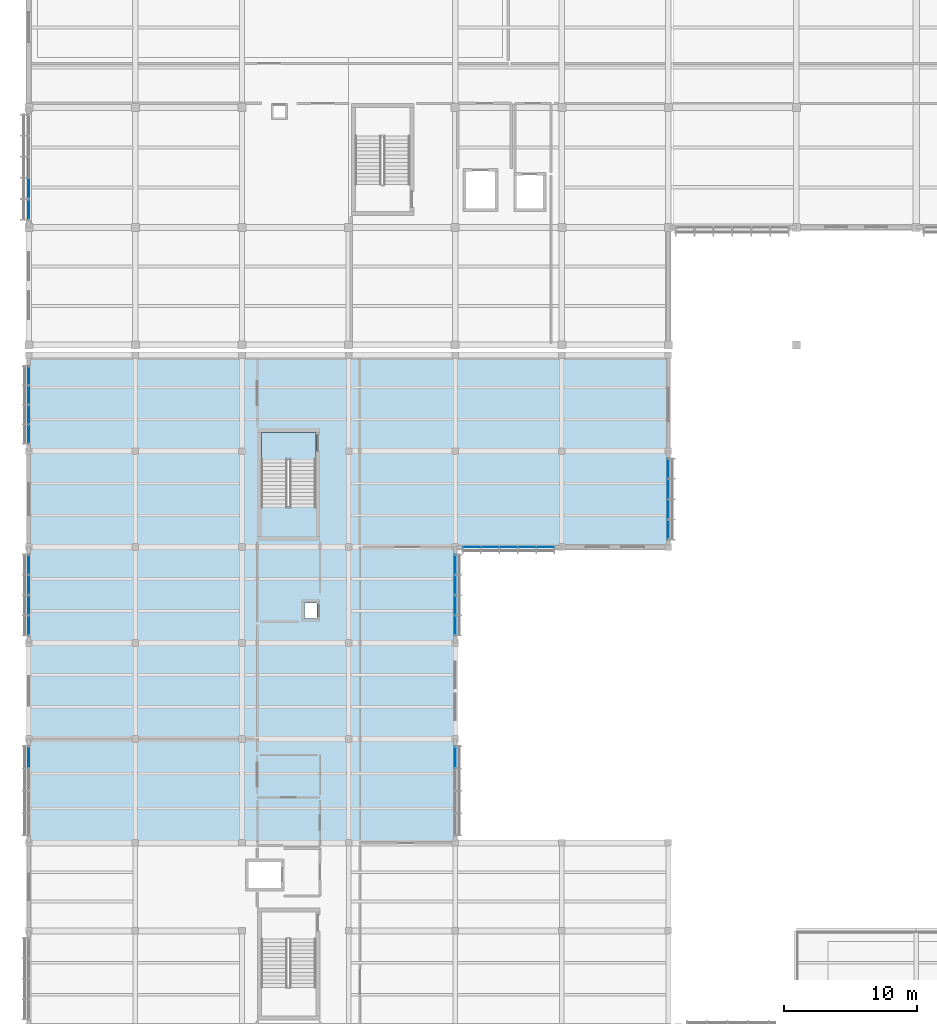
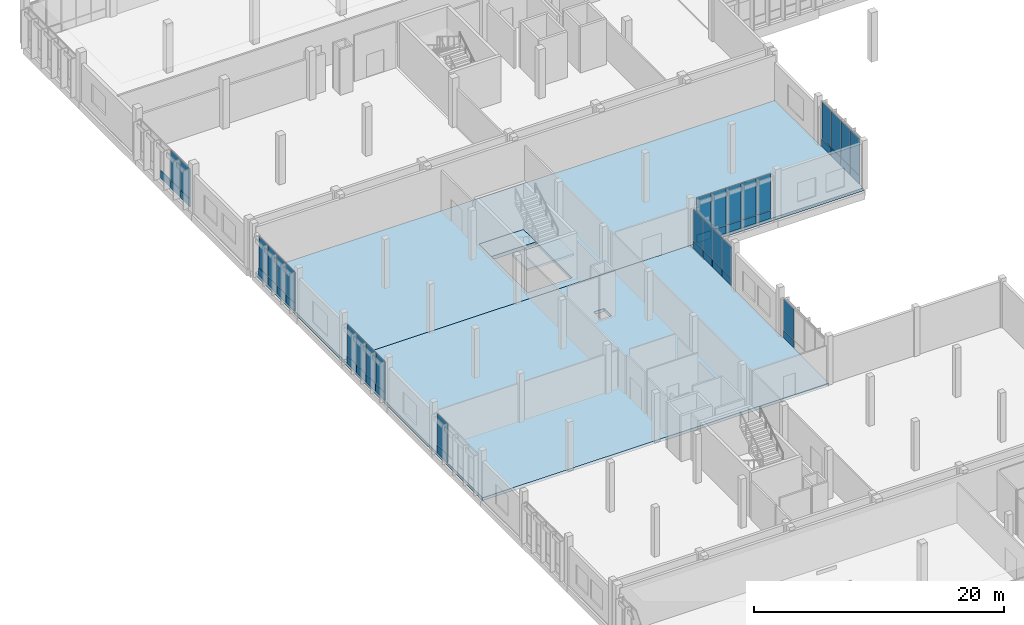
# One storey, part 136 of 177: 51 plates, 4 slabs, 9 elements without a shape of their own.
"""IFC4 building model written with IfcOpenShell, lengths in metres."""

from ifc_helpers import new_model, si_unit, direction, frame, origin, origin_2d, place, context, subcontext, project, spatial, polyline, rectangle, outline, extrude, material, layer, layer_set, type_object, element, aggregate, save


model = new_model("IFC4")

# Units and contexts
model_context = context("Model", 3, precision=1e-05, world=origin(), true_north=direction((0.0, 1.0)))
body_context = subcontext(model_context, "Body", "Model", "MODEL_VIEW")
ifc_project = project(units=[si_unit("LENGTHUNIT", "METRE"), si_unit("AREAUNIT", "SQUARE_METRE"), si_unit("VOLUMEUNIT", "CUBIC_METRE"), si_unit("PLANEANGLEUNIT", "RADIAN"), si_unit("MASSUNIT", "GRAM", prefix="KILO")], contexts=[model_context])

# Site, building, storey
site_placement = place(None, origin())
site = spatial("IfcSite", under=ifc_project, at=site_placement, CompositionType="ELEMENT")
building_placement = place(site_placement, origin())
building = spatial("IfcBuilding", under=site, at=building_placement, Name="Chiffa Square Polytechnic", CompositionType="ELEMENT")
storey_placement = place(building_placement, frame((0.0, 0.0, 4.800048828125)))
storey = spatial("IfcBuildingStorey", under=building, at=storey_placement, Name="L01", CompositionType="ELEMENT", Elevation=4.800048828125)

# Curtain wall, plate
ifc_material_1 = material(Name="Aluminium EN AW-6060 T66 and glulam shading", Category="wood")
curtain_wall_type_1 = type_object("IfcCurtainWallType", Name="CW-VERT-360X380", PredefinedType="USERDEFINED", material=ifc_material_1)
curtain_wall_1_placement = place(storey_placement, origin())
curtain_wall_1 = element("IfcCurtainWall", 1, at=curtain_wall_1_placement, inside=storey, type_object=curtain_wall_type_1, Name="Curtain wall CW-V6-L01-261", ObjectType="CURTAIN WALL", PredefinedType="USERDEFINED")
ifc_material_2 = material(Name="Double glazing", Category="glass")
ifc_layer_1 = layer(ifc_material_2, 0.0458984375, Name="Double glazing")
ifc_layer_set_1 = layer_set([ifc_layer_1], Name="Double glazing")
plate_type_1 = type_object("IfcPlateType", Name="CWP-GLZ-128X106", PredefinedType="CURTAIN_PANEL", material=ifc_layer_set_1)
plate_1_placement = place(storey_placement, frame((0.0, 64.009033203125, 0.839599609375), z_axis=(0.0, 0.0, 1.0), x_axis=(0.0, -1.0, 0.0)))
plate_1 = element("IfcPlate", 2, at=plate_1_placement, type_object=plate_type_1, Name="Glazed curtain panel CW-V6-L01-261-PN01", PredefinedType="CURTAIN_PANEL", context=body_context, shape_type="SweptSolid", body=[
    extrude(rectangle(XDim=1.60595703125, YDim=0.0458984375, at=origin_2d()), origin(), (0.0, 0.0, 1.0), 3.02490234375),
])

# Curtain wall, plates
curtain_wall_type_2 = type_object("IfcCurtainWallType", Name="CW-VERT-600X380", PredefinedType="USERDEFINED", material=ifc_material_1)
curtain_wall_2_placement = place(storey_placement, origin())
curtain_wall_2 = element("IfcCurtainWall", 3, at=curtain_wall_2_placement, inside=storey, type_object=curtain_wall_type_2, Name="Curtain wall CW-V6-L01-260", ObjectType="CURTAIN WALL", PredefinedType="USERDEFINED")
ifc_layer_2 = layer(ifc_material_2, 0.0458984375, Name="Double glazing")
ifc_layer_set_2 = layer_set([ifc_layer_2], Name="Double glazing")
plate_type_2 = type_object("IfcPlateType", Name="CWP-GLZ-130X110", PredefinedType="CURTAIN_PANEL", material=ifc_layer_set_2)
plate_2_placement = place(storey_placement, frame((0.0, 78.48388671875, 0.839599609375), z_axis=(0.0, 0.0, 1.0), x_axis=(0.0, -1.0, 0.0)))
plate_2 = element("IfcPlate", 4, at=plate_2_placement, type_object=plate_type_2, Name="Glazed curtain panel CW-V6-L01-260-PN01", PredefinedType="CURTAIN_PANEL", context=body_context, shape_type="SweptSolid", body=[
    extrude(rectangle(XDim=1.4560546875, YDim=0.0458984375, at=origin_2d()), origin(), (0.0, 0.0, 1.0), 3.02490234375),
])
plate_3_placement = place(storey_placement, frame((0.0, 76.965087890625, 0.839599609375), z_axis=(0.0, 0.0, 1.0), x_axis=(0.0, -1.0, 0.0)))
plate_3 = element("IfcPlate", 5, at=plate_3_placement, type_object=plate_type_2, Name="Glazed curtain panel CW-V6-L01-260-PN02", PredefinedType="CURTAIN_PANEL", context=body_context, shape_type="SweptSolid", body=[
    extrude(rectangle(XDim=1.47802734375, YDim=0.0458984375, at=origin_2d()), origin(), (0.0, 0.0, 1.0), 3.02490234375),
])
plate_4_placement = place(storey_placement, frame((0.0, 75.43505859375, 0.839599609375), z_axis=(0.0, 0.0, 1.0), x_axis=(0.0, -1.0, 0.0)))
plate_4 = element("IfcPlate", 6, at=plate_4_placement, type_object=plate_type_2, Name="Glazed curtain panel CW-V6-L01-260-PN03", PredefinedType="CURTAIN_PANEL", context=body_context, shape_type="SweptSolid", body=[
    extrude(rectangle(XDim=1.47802734375, YDim=0.0458984375, at=origin_2d()), origin(), (0.0, 0.0, 1.0), 3.02490234375),
])
plate_5_placement = place(storey_placement, frame((0.0, 73.916015625, 0.839599609375), z_axis=(0.0, 0.0, 1.0), x_axis=(0.0, -1.0, 0.0)))
plate_5 = element("IfcPlate", 7, at=plate_5_placement, type_object=plate_type_2, Name="Glazed curtain panel CW-V6-L01-260-PN04", PredefinedType="CURTAIN_PANEL", context=body_context, shape_type="SweptSolid", body=[
    extrude(rectangle(XDim=1.4560546875, YDim=0.0458984375, at=origin_2d()), origin(), (0.0, 0.0, 1.0), 3.02490234375),
])

curtain_wall_type_3 = type_object("IfcCurtainWallType", Name="CW-VERT-300X380", PredefinedType="USERDEFINED", material=ifc_material_1)
curtain_wall_3_placement = place(storey_placement, origin())
curtain_wall_3 = element("IfcCurtainWall", 8, at=curtain_wall_3_placement, inside=storey, type_object=curtain_wall_type_3, Name="Curtain wall CW-V6-L01-259", ObjectType="CURTAIN WALL", PredefinedType="USERDEFINED")
ifc_layer_3 = layer(ifc_material_2, 0.0439453125, Name="Double glazing")
ifc_layer_set_3 = layer_set([ifc_layer_3], Name="Double glazing")
plate_type_3 = type_object("IfcPlateType", Name="CWP-GLZ-132X114", PredefinedType="CURTAIN_PANEL", material=ifc_layer_set_3)
plate_6_placement = place(storey_placement, frame((0.0, 92.6650390625, 0.839599609375), z_axis=(0.0, 0.0, 1.0), x_axis=(0.0, -1.0, 0.0)))
plate_6 = element("IfcPlate", 9, at=plate_6_placement, type_object=plate_type_3, Name="Glazed curtain panel CW-V6-L01-259-PN01", PredefinedType="CURTAIN_PANEL", context=body_context, shape_type="SweptSolid", body=[
    extrude(rectangle(XDim=1.39306640625, YDim=0.0439453125, at=origin_2d()), origin(), (0.0, 0.0, 1.0), 3.02490234375),
])
plate_7_placement = place(storey_placement, frame((0.0, 91.208984375, 0.839599609375), z_axis=(0.0, 0.0, 1.0), x_axis=(0.0, -1.0, 0.0)))
plate_7 = element("IfcPlate", 10, at=plate_7_placement, type_object=plate_type_3, Name="Glazed curtain panel CW-V6-L01-259-PN02", PredefinedType="CURTAIN_PANEL", context=body_context, shape_type="SweptSolid", body=[
    extrude(rectangle(XDim=1.4150390625, YDim=0.0439453125, at=origin_2d()), origin(), (0.0, 0.0, 1.0), 3.02490234375),
])
plate_8_placement = place(storey_placement, frame((0.0, 89.740966796875, 0.839599609375), z_axis=(0.0, 0.0, 1.0), x_axis=(0.0, -1.0, 0.0)))
plate_8 = element("IfcPlate", 11, at=plate_8_placement, type_object=plate_type_3, Name="Glazed curtain panel CW-V6-L01-259-PN03", PredefinedType="CURTAIN_PANEL", context=body_context, shape_type="SweptSolid", body=[
    extrude(rectangle(XDim=1.4150390625, YDim=0.0439453125, at=origin_2d()), origin(), (0.0, 0.0, 1.0), 3.02490234375),
])
plate_9_placement = place(storey_placement, frame((0.0, 88.284912109375, 0.839599609375), z_axis=(0.0, 0.0, 1.0), x_axis=(0.0, -1.0, 0.0)))
plate_9 = element("IfcPlate", 12, at=plate_9_placement, type_object=plate_type_3, Name="Glazed curtain panel CW-V6-L01-259-PN04", PredefinedType="CURTAIN_PANEL", context=body_context, shape_type="SweptSolid", body=[
    extrude(rectangle(XDim=1.39306640625, YDim=0.0439453125, at=origin_2d()), origin(), (0.0, 0.0, 1.0), 3.02490234375),
])

curtain_wall_type_4 = type_object("IfcCurtainWallType", Name="CW-VERT-450X380", PredefinedType="USERDEFINED", material=ifc_material_1)
curtain_wall_4_placement = place(storey_placement, origin())
curtain_wall_4 = element("IfcCurtainWall", 13, at=curtain_wall_4_placement, inside=storey, type_object=curtain_wall_type_4, Name="Curtain wall CW-V6-L01-258", ObjectType="CURTAIN WALL", PredefinedType="USERDEFINED")
ifc_layer_4 = layer(ifc_material_2, 0.0439453125, Name="Double glazing")
ifc_layer_set_4 = layer_set([ifc_layer_4], Name="Double glazing")
plate_type_4 = type_object("IfcPlateType", Name="CWP-GLZ-134X118", PredefinedType="CURTAIN_PANEL", material=ifc_layer_set_4)
plate_10_placement = place(storey_placement, frame((48.0, 81.115966796875, 0.83984375), z_axis=(0.0, 0.0, 1.0), x_axis=(0.0, 1.0, 0.0)))
plate_10 = element("IfcPlate", 14, at=plate_10_placement, type_object=plate_type_4, Name="Glazed curtain panel CW-V6-L01-258-PN01", PredefinedType="CURTAIN_PANEL", context=body_context, shape_type="SweptSolid", body=[
    extrude(rectangle(XDim=1.4560546875, YDim=0.0439453125, at=origin_2d()), origin(), (0.0, 0.0, 1.0), 3.590087890625),
])
plate_11_placement = place(storey_placement, frame((48.0, 82.635009765625, 0.83984375), z_axis=(0.0, 0.0, 1.0), x_axis=(0.0, 1.0, 0.0)))
plate_11 = element("IfcPlate", 15, at=plate_11_placement, type_object=plate_type_4, Name="Glazed curtain panel CW-V6-L01-258-PN02", PredefinedType="CURTAIN_PANEL", context=body_context, shape_type="SweptSolid", body=[
    extrude(rectangle(XDim=1.47802734375, YDim=0.0439453125, at=origin_2d()), origin(), (0.0, 0.0, 1.0), 3.590087890625),
])
plate_12_placement = place(storey_placement, frame((48.0, 84.1650390625, 0.83984375), z_axis=(0.0, 0.0, 1.0), x_axis=(0.0, 1.0, 0.0)))
plate_12 = element("IfcPlate", 16, at=plate_12_placement, type_object=plate_type_4, Name="Glazed curtain panel CW-V6-L01-258-PN03", PredefinedType="CURTAIN_PANEL", context=body_context, shape_type="SweptSolid", body=[
    extrude(rectangle(XDim=1.47802734375, YDim=0.0439453125, at=origin_2d()), origin(), (0.0, 0.0, 1.0), 3.590087890625),
])
plate_13_placement = place(storey_placement, frame((48.0, 85.68408203125, 0.83984375), z_axis=(0.0, 0.0, 1.0), x_axis=(0.0, 1.0, 0.0)))
plate_13 = element("IfcPlate", 17, at=plate_13_placement, type_object=plate_type_4, Name="Glazed curtain panel CW-V6-L01-258-PN04", PredefinedType="CURTAIN_PANEL", context=body_context, shape_type="SweptSolid", body=[
    extrude(rectangle(XDim=1.4560546875, YDim=0.0439453125, at=origin_2d()), origin(), (0.0, 0.0, 1.0), 3.590087890625),
])

curtain_wall_type_5 = type_object("IfcCurtainWallType", Name="CW-VERT-600X440", PredefinedType="USERDEFINED", material=ifc_material_1)
curtain_wall_5_placement = place(storey_placement, origin())
curtain_wall_5 = element("IfcCurtainWall", 18, at=curtain_wall_5_placement, inside=storey, type_object=curtain_wall_type_5, Name="Curtain wall CW-V6-L01-257", ObjectType="CURTAIN WALL", PredefinedType="USERDEFINED")
ifc_layer_5 = layer(ifc_material_2, 0.0419921875, Name="Double glazing")
ifc_layer_set_5 = layer_set([ifc_layer_5], Name="Double glazing")
plate_type_5 = type_object("IfcPlateType", Name="CWP-GLZ-136X122", PredefinedType="CURTAIN_PANEL", material=ifc_layer_set_5)
plate_14_placement = place(storey_placement, frame((33.242919921875, 79.800048828125, 0.83984375), z_axis=(0.0, 0.0, 1.0), x_axis=(1.0, 0.0, 0.0)))
plate_14 = element("IfcPlate", 19, at=plate_14_placement, type_object=plate_type_5, Name="Glazed curtain panel CW-V6-L01-257-PN01", PredefinedType="CURTAIN_PANEL", context=body_context, shape_type="SweptSolid", body=[
    extrude(rectangle(XDim=1.31005859375, YDim=0.0419921875, at=origin_2d()), origin(), (0.0, 0.0, 1.0), 3.590087890625),
])
plate_15_placement = place(storey_placement, frame((34.615966796875, 79.800048828125, 0.83984375), z_axis=(0.0, 0.0, 1.0), x_axis=(1.0, 0.0, 0.0)))
plate_15 = element("IfcPlate", 20, at=plate_15_placement, type_object=plate_type_5, Name="Glazed curtain panel CW-V6-L01-257-PN02", PredefinedType="CURTAIN_PANEL", context=body_context, shape_type="SweptSolid", body=[
    extrude(rectangle(XDim=1.33203125, YDim=0.0419921875, at=origin_2d()), origin(), (0.0, 0.0, 1.0), 3.590087890625),
])
plate_16_placement = place(storey_placement, frame((36.0, 79.800048828125, 0.83984375), z_axis=(0.0, 0.0, 1.0), x_axis=(1.0, 0.0, 0.0)))
plate_16 = element("IfcPlate", 21, at=plate_16_placement, type_object=plate_type_5, Name="Glazed curtain panel CW-V6-L01-257-PN03", PredefinedType="CURTAIN_PANEL", context=body_context, shape_type="SweptSolid", body=[
    extrude(rectangle(XDim=1.33203125, YDim=0.0419921875, at=origin_2d()), origin(), (0.0, 0.0, 1.0), 3.590087890625),
])
plate_17_placement = place(storey_placement, frame((37.384033203125, 79.800048828125, 0.83984375), z_axis=(0.0, 0.0, 1.0), x_axis=(1.0, 0.0, 0.0)))
plate_17 = element("IfcPlate", 22, at=plate_17_placement, type_object=plate_type_5, Name="Glazed curtain panel CW-V6-L01-257-PN04", PredefinedType="CURTAIN_PANEL", context=body_context, shape_type="SweptSolid", body=[
    extrude(rectangle(XDim=1.33203125, YDim=0.0419921875, at=origin_2d()), origin(), (0.0, 0.0, 1.0), 3.590087890625),
])
plate_18_placement = place(storey_placement, frame((38.757080078125, 79.800048828125, 0.83984375), z_axis=(0.0, 0.0, 1.0), x_axis=(1.0, 0.0, 0.0)))
plate_18 = element("IfcPlate", 23, at=plate_18_placement, type_object=plate_type_5, Name="Glazed curtain panel CW-V6-L01-257-PN05", PredefinedType="CURTAIN_PANEL", context=body_context, shape_type="SweptSolid", body=[
    extrude(rectangle(XDim=1.31005859375, YDim=0.0419921875, at=origin_2d()), origin(), (0.0, 0.0, 1.0), 3.590087890625),
])

curtain_wall_type_6 = type_object("IfcCurtainWallType", Name="CW-VERT-450X440", PredefinedType="USERDEFINED", material=ifc_material_1)
curtain_wall_6_placement = place(storey_placement, origin())
curtain_wall_6 = element("IfcCurtainWall", 24, at=curtain_wall_6_placement, inside=storey, type_object=curtain_wall_type_6, Name="Curtain wall CW-V6-L01-256", ObjectType="CURTAIN WALL", PredefinedType="USERDEFINED")
ifc_layer_6 = layer(ifc_material_2, 0.0419921875, Name="Double glazing")
ifc_layer_set_6 = layer_set([ifc_layer_6], Name="Double glazing")
plate_type_6 = type_object("IfcPlateType", Name="CWP-GLZ-138X126", PredefinedType="CURTAIN_PANEL", material=ifc_layer_set_6)
plate_19_placement = place(storey_placement, frame((32.0, 73.916015625, 0.839599609375), z_axis=(0.0, 0.0, 1.0), x_axis=(0.0, 1.0, 0.0)))
plate_19 = element("IfcPlate", 25, at=plate_19_placement, type_object=plate_type_6, Name="Glazed curtain panel CW-V6-L01-256-PN01", PredefinedType="CURTAIN_PANEL", context=body_context, shape_type="SweptSolid", body=[
    extrude(rectangle(XDim=1.4560546875, YDim=0.0419921875, at=origin_2d()), origin(), (0.0, 0.0, 1.0), 3.02490234375),
])
plate_20_placement = place(storey_placement, frame((32.0, 75.43505859375, 0.839599609375), z_axis=(0.0, 0.0, 1.0), x_axis=(0.0, 1.0, 0.0)))
plate_20 = element("IfcPlate", 26, at=plate_20_placement, type_object=plate_type_6, Name="Glazed curtain panel CW-V6-L01-256-PN02", PredefinedType="CURTAIN_PANEL", context=body_context, shape_type="SweptSolid", body=[
    extrude(rectangle(XDim=1.47802734375, YDim=0.0419921875, at=origin_2d()), origin(), (0.0, 0.0, 1.0), 3.02490234375),
])
plate_21_placement = place(storey_placement, frame((32.0, 76.965087890625, 0.839599609375), z_axis=(0.0, 0.0, 1.0), x_axis=(0.0, 1.0, 0.0)))
plate_21 = element("IfcPlate", 27, at=plate_21_placement, type_object=plate_type_6, Name="Glazed curtain panel CW-V6-L01-256-PN03", PredefinedType="CURTAIN_PANEL", context=body_context, shape_type="SweptSolid", body=[
    extrude(rectangle(XDim=1.47802734375, YDim=0.0419921875, at=origin_2d()), origin(), (0.0, 0.0, 1.0), 3.02490234375),
])
plate_22_placement = place(storey_placement, frame((32.0, 78.48388671875, 0.839599609375), z_axis=(0.0, 0.0, 1.0), x_axis=(0.0, 1.0, 0.0)))
plate_22 = element("IfcPlate", 28, at=plate_22_placement, type_object=plate_type_6, Name="Glazed curtain panel CW-V6-L01-256-PN04", PredefinedType="CURTAIN_PANEL", context=body_context, shape_type="SweptSolid", body=[
    extrude(rectangle(XDim=1.4560546875, YDim=0.0419921875, at=origin_2d()), origin(), (0.0, 0.0, 1.0), 3.02490234375),
])

# Curtain wall, plate
curtain_wall_type_7 = type_object("IfcCurtainWallType", Name="CW-VERT-540X440", PredefinedType="USERDEFINED", material=ifc_material_1)
curtain_wall_7_placement = place(storey_placement, origin())
curtain_wall_7 = element("IfcCurtainWall", 29, at=curtain_wall_7_placement, inside=storey, type_object=curtain_wall_type_7, Name="Curtain wall CW-V6-L01-255", ObjectType="CURTAIN WALL", PredefinedType="USERDEFINED")
ifc_layer_7 = layer(ifc_material_2, 0.0400390625, Name="Double glazing")
ifc_layer_set_7 = layer_set([ifc_layer_7], Name="Double glazing")
plate_type_7 = type_object("IfcPlateType", Name="CWP-GLZ-140X130", PredefinedType="CURTAIN_PANEL", material=ifc_layer_set_7)
plate_23_placement = place(storey_placement, frame((32.0, 64.009033203125, 0.839599609375), z_axis=(0.0, 0.0, 1.0), x_axis=(0.0, 1.0, 0.0)))
plate_23 = element("IfcPlate", 30, at=plate_23_placement, type_object=plate_type_7, Name="Glazed curtain panel CW-V6-L01-255-PN04", PredefinedType="CURTAIN_PANEL", context=body_context, shape_type="SweptSolid", body=[
    extrude(rectangle(XDim=1.60595703125, YDim=0.0400390625, at=origin_2d()), origin(), (0.0, 0.0, 1.0), 3.02490234375),
])

# Curtain wall, plates
curtain_wall_8_placement = place(storey_placement, origin())
curtain_wall_8 = element("IfcCurtainWall", 31, at=curtain_wall_8_placement, inside=storey, type_object=curtain_wall_type_2, Name="Curtain wall CW-V5-L01-212", ObjectType="CURTAIN WALL", PredefinedType="USERDEFINED")
ifc_layer_8 = layer(ifc_material_2, 0.0400390625, Name="Double glazing")
ifc_layer_set_8 = layer_set([ifc_layer_8], Name="Double glazing")
plate_type_8 = type_object("IfcPlateType", Name="CWP-GLZ-144X134", PredefinedType="CURTAIN_PANEL", material=ifc_layer_set_8)
plate_24_placement = place(storey_placement, frame((0.0, 106.716064453125, 0.84033203125), z_axis=(0.0, 0.0, 1.0), x_axis=(0.0, -1.0, 0.0)))
plate_24 = element("IfcPlate", 32, at=plate_24_placement, type_object=plate_type_8, Name="Glazed curtain panel CW-V5-L01-212-PN04", PredefinedType="CURTAIN_PANEL", context=body_context, shape_type="SweptSolid", body=[
    extrude(rectangle(XDim=1.531982421875, YDim=0.0400390625, at=origin_2d()), origin(), (0.0, 0.0, 1.0), 2.925048828125),
])
plate_25_placement = place(storey_placement, frame((0.0, 105.14306640625, 0.84033203125), z_axis=(0.0, 0.0, 1.0), x_axis=(0.0, -1.0, 0.0)))
plate_25 = element("IfcPlate", 33, at=plate_25_placement, type_object=plate_type_8, Name="Glazed curtain panel CW-V5-L01-212-PN05", PredefinedType="CURTAIN_PANEL", context=body_context, shape_type="SweptSolid", body=[
    extrude(rectangle(XDim=1.510009765625, YDim=0.0400390625, at=origin_2d()), origin(), (0.0, 0.0, 1.0), 2.925048828125),
])

# Plate
ifc_material_3 = material(Name="Aluminium insulated spandrel", Category="aluminium")
ifc_layer_9 = layer(ifc_material_3, 0.072021484375, Name="Aluminium insulated spandrel")
ifc_layer_set_9 = layer_set([ifc_layer_9], Name="Aluminium insulated spandrel")
plate_type_9 = type_object("IfcPlateType", Name="CWP-SPN-136X072", PredefinedType="SHEET", material=ifc_layer_set_9)
plate_26_placement = place(storey_placement, frame((0.0, 64.009033203125, 0.050048828125), z_axis=(0.0, 0.0, 1.0), x_axis=(0.0, -1.0, 0.0)))
plate_26 = element("IfcPlate", 34, at=plate_26_placement, type_object=plate_type_9, Name="Spandrel panel CW-V6-L01-261-SP01", PredefinedType="SHEET", context=body_context, shape_type="SweptSolid", body=[
    extrude(rectangle(XDim=1.60595703125, YDim=0.072021484375, at=origin_2d()), origin(), (0.0, 0.0, 1.0), 0.75),
])

aggregate(curtain_wall_1, [plate_26, plate_1])

ifc_layer_10 = layer(ifc_material_3, 0.070068359375, Name="Aluminium insulated spandrel")
ifc_layer_set_10 = layer_set([ifc_layer_10], Name="Aluminium insulated spandrel")
plate_type_10 = type_object("IfcPlateType", Name="CWP-SPN-138X074", PredefinedType="SHEET", material=ifc_layer_set_10)
plate_27_placement = place(storey_placement, frame((0.0, 108.300048828125, 0.050048828125), z_axis=(0.0, 0.0, 1.0), x_axis=(0.0, -1.0, 0.0)))
plate_27 = element("IfcPlate", 35, at=plate_27_placement, type_object=plate_type_10, Name="Spandrel panel CW-V5-L01-212-SP03", PredefinedType="SHEET", context=body_context, shape_type="SweptSolid", body=[
    extrude(rectangle(XDim=1.531982421875, YDim=0.070068359375, at=origin_2d()), origin(), (0.0, 0.0, 1.0), 0.75),
])

plate_28_placement = place(storey_placement, frame((0.0, 106.716064453125, 0.050048828125), z_axis=(0.0, 0.0, 1.0), x_axis=(0.0, -1.0, 0.0)))
plate_28 = element("IfcPlate", 36, at=plate_28_placement, type_object=plate_type_10, Name="Spandrel panel CW-V5-L01-212-SP04", PredefinedType="SHEET", context=body_context, shape_type="SweptSolid", body=[
    extrude(rectangle(XDim=1.531982421875, YDim=0.070068359375, at=origin_2d()), origin(), (0.0, 0.0, 1.0), 0.75),
])

plate_29_placement = place(storey_placement, frame((0.0, 105.14306640625, 0.050048828125), z_axis=(0.0, 0.0, 1.0), x_axis=(0.0, -1.0, 0.0)))
plate_29 = element("IfcPlate", 37, at=plate_29_placement, type_object=plate_type_10, Name="Spandrel panel CW-V5-L01-212-SP05", PredefinedType="SHEET", context=body_context, shape_type="SweptSolid", body=[
    extrude(rectangle(XDim=1.510009765625, YDim=0.070068359375, at=origin_2d()), origin(), (0.0, 0.0, 1.0), 0.75),
])

aggregate(curtain_wall_8, [plate_27, plate_28, plate_24, plate_29, plate_25])

plate_30_placement = place(storey_placement, frame((0.0, 78.48388671875, 0.050048828125), z_axis=(0.0, 0.0, 1.0), x_axis=(0.0, -1.0, 0.0)))
plate_30 = element("IfcPlate", 38, at=plate_30_placement, type_object=plate_type_10, Name="Spandrel panel CW-V6-L01-260-SP01", PredefinedType="SHEET", context=body_context, shape_type="SweptSolid", body=[
    extrude(rectangle(XDim=1.4560546875, YDim=0.070068359375, at=origin_2d()), origin(), (0.0, 0.0, 1.0), 0.75),
])

plate_31_placement = place(storey_placement, frame((0.0, 76.965087890625, 0.050048828125), z_axis=(0.0, 0.0, 1.0), x_axis=(0.0, -1.0, 0.0)))
plate_31 = element("IfcPlate", 39, at=plate_31_placement, type_object=plate_type_10, Name="Spandrel panel CW-V6-L01-260-SP02", PredefinedType="SHEET", context=body_context, shape_type="SweptSolid", body=[
    extrude(rectangle(XDim=1.47802734375, YDim=0.070068359375, at=origin_2d()), origin(), (0.0, 0.0, 1.0), 0.75),
])

plate_32_placement = place(storey_placement, frame((0.0, 75.43505859375, 0.050048828125), z_axis=(0.0, 0.0, 1.0), x_axis=(0.0, -1.0, 0.0)))
plate_32 = element("IfcPlate", 40, at=plate_32_placement, type_object=plate_type_10, Name="Spandrel panel CW-V6-L01-260-SP03", PredefinedType="SHEET", context=body_context, shape_type="SweptSolid", body=[
    extrude(rectangle(XDim=1.47802734375, YDim=0.070068359375, at=origin_2d()), origin(), (0.0, 0.0, 1.0), 0.75),
])

plate_33_placement = place(storey_placement, frame((0.0, 73.916015625, 0.050048828125), z_axis=(0.0, 0.0, 1.0), x_axis=(0.0, -1.0, 0.0)))
plate_33 = element("IfcPlate", 41, at=plate_33_placement, type_object=plate_type_10, Name="Spandrel panel CW-V6-L01-260-SP04", PredefinedType="SHEET", context=body_context, shape_type="SweptSolid", body=[
    extrude(rectangle(XDim=1.4560546875, YDim=0.070068359375, at=origin_2d()), origin(), (0.0, 0.0, 1.0), 0.75),
])

aggregate(curtain_wall_2, [plate_30, plate_2, plate_31, plate_3, plate_32, plate_4, plate_33, plate_5])

ifc_layer_11 = layer(ifc_material_3, 0.068115234375, Name="Aluminium insulated spandrel")
ifc_layer_set_11 = layer_set([ifc_layer_11], Name="Aluminium insulated spandrel")
plate_type_11 = type_object("IfcPlateType", Name="CWP-SPN-140X076", PredefinedType="SHEET", material=ifc_layer_set_11)
plate_34_placement = place(storey_placement, frame((0.0, 92.6650390625, 0.050048828125), z_axis=(0.0, 0.0, 1.0), x_axis=(0.0, -1.0, 0.0)))
plate_34 = element("IfcPlate", 42, at=plate_34_placement, type_object=plate_type_11, Name="Spandrel panel CW-V6-L01-259-SP01", PredefinedType="SHEET", context=body_context, shape_type="SweptSolid", body=[
    extrude(rectangle(XDim=1.39306640625, YDim=0.068115234375, at=origin_2d()), origin(), (0.0, 0.0, 1.0), 0.75),
])

plate_35_placement = place(storey_placement, frame((0.0, 91.208984375, 0.050048828125), z_axis=(0.0, 0.0, 1.0), x_axis=(0.0, -1.0, 0.0)))
plate_35 = element("IfcPlate", 43, at=plate_35_placement, type_object=plate_type_11, Name="Spandrel panel CW-V6-L01-259-SP02", PredefinedType="SHEET", context=body_context, shape_type="SweptSolid", body=[
    extrude(rectangle(XDim=1.4150390625, YDim=0.068115234375, at=origin_2d()), origin(), (0.0, 0.0, 1.0), 0.75),
])

plate_36_placement = place(storey_placement, frame((0.0, 89.740966796875, 0.050048828125), z_axis=(0.0, 0.0, 1.0), x_axis=(0.0, -1.0, 0.0)))
plate_36 = element("IfcPlate", 44, at=plate_36_placement, type_object=plate_type_11, Name="Spandrel panel CW-V6-L01-259-SP03", PredefinedType="SHEET", context=body_context, shape_type="SweptSolid", body=[
    extrude(rectangle(XDim=1.4150390625, YDim=0.068115234375, at=origin_2d()), origin(), (0.0, 0.0, 1.0), 0.75),
])

plate_37_placement = place(storey_placement, frame((0.0, 88.284912109375, 0.050048828125), z_axis=(0.0, 0.0, 1.0), x_axis=(0.0, -1.0, 0.0)))
plate_37 = element("IfcPlate", 45, at=plate_37_placement, type_object=plate_type_11, Name="Spandrel panel CW-V6-L01-259-SP04", PredefinedType="SHEET", context=body_context, shape_type="SweptSolid", body=[
    extrude(rectangle(XDim=1.39306640625, YDim=0.068115234375, at=origin_2d()), origin(), (0.0, 0.0, 1.0), 0.75),
])

aggregate(curtain_wall_3, [plate_34, plate_6, plate_35, plate_7, plate_36, plate_8, plate_37, plate_9])

ifc_layer_12 = layer(ifc_material_3, 0.06591796875, Name="Aluminium insulated spandrel")
ifc_layer_set_12 = layer_set([ifc_layer_12], Name="Aluminium insulated spandrel")
plate_type_12 = type_object("IfcPlateType", Name="CWP-SPN-144X078", PredefinedType="SHEET", material=ifc_layer_set_12)
plate_38_placement = place(storey_placement, frame((48.0, 81.115966796875, 0.050048828125), z_axis=(0.0, 0.0, 1.0), x_axis=(0.0, 1.0, 0.0)))
plate_38 = element("IfcPlate", 46, at=plate_38_placement, type_object=plate_type_12, Name="Spandrel panel CW-V6-L01-258-SP01", PredefinedType="SHEET", context=body_context, shape_type="SweptSolid", body=[
    extrude(rectangle(XDim=1.4560546875, YDim=0.06591796875, at=origin_2d()), origin(), (0.0, 0.0, 1.0), 0.75),
])

plate_39_placement = place(storey_placement, frame((48.0, 82.635009765625, 0.050048828125), z_axis=(0.0, 0.0, 1.0), x_axis=(0.0, 1.0, 0.0)))
plate_39 = element("IfcPlate", 47, at=plate_39_placement, type_object=plate_type_12, Name="Spandrel panel CW-V6-L01-258-SP02", PredefinedType="SHEET", context=body_context, shape_type="SweptSolid", body=[
    extrude(rectangle(XDim=1.47802734375, YDim=0.06591796875, at=origin_2d()), origin(), (0.0, 0.0, 1.0), 0.75),
])

plate_40_placement = place(storey_placement, frame((48.0, 84.1650390625, 0.050048828125), z_axis=(0.0, 0.0, 1.0), x_axis=(0.0, 1.0, 0.0)))
plate_40 = element("IfcPlate", 48, at=plate_40_placement, type_object=plate_type_12, Name="Spandrel panel CW-V6-L01-258-SP03", PredefinedType="SHEET", context=body_context, shape_type="SweptSolid", body=[
    extrude(rectangle(XDim=1.47802734375, YDim=0.06591796875, at=origin_2d()), origin(), (0.0, 0.0, 1.0), 0.75),
])

plate_41_placement = place(storey_placement, frame((48.0, 85.68408203125, 0.050048828125), z_axis=(0.0, 0.0, 1.0), x_axis=(0.0, 1.0, 0.0)))
plate_41 = element("IfcPlate", 49, at=plate_41_placement, type_object=plate_type_12, Name="Spandrel panel CW-V6-L01-258-SP04", PredefinedType="SHEET", context=body_context, shape_type="SweptSolid", body=[
    extrude(rectangle(XDim=1.4560546875, YDim=0.06591796875, at=origin_2d()), origin(), (0.0, 0.0, 1.0), 0.75),
])

aggregate(curtain_wall_4, [plate_38, plate_10, plate_39, plate_11, plate_40, plate_12, plate_41, plate_13])

ifc_layer_13 = layer(ifc_material_3, 0.06396484375, Name="Aluminium insulated spandrel")
ifc_layer_set_13 = layer_set([ifc_layer_13], Name="Aluminium insulated spandrel")
plate_type_13 = type_object("IfcPlateType", Name="CWP-SPN-146X082", PredefinedType="SHEET", material=ifc_layer_set_13)
plate_42_placement = place(storey_placement, frame((33.242919921875, 79.800048828125, 0.050048828125), z_axis=(0.0, 0.0, 1.0), x_axis=(1.0, 0.0, 0.0)))
plate_42 = element("IfcPlate", 50, at=plate_42_placement, type_object=plate_type_13, Name="Spandrel panel CW-V6-L01-257-SP01", PredefinedType="SHEET", context=body_context, shape_type="SweptSolid", body=[
    extrude(rectangle(XDim=1.31005859375, YDim=0.06396484375, at=origin_2d()), origin(), (0.0, 0.0, 1.0), 0.75),
])

plate_43_placement = place(storey_placement, frame((34.615966796875, 79.800048828125, 0.050048828125), z_axis=(0.0, 0.0, 1.0), x_axis=(1.0, 0.0, 0.0)))
plate_43 = element("IfcPlate", 51, at=plate_43_placement, type_object=plate_type_13, Name="Spandrel panel CW-V6-L01-257-SP02", PredefinedType="SHEET", context=body_context, shape_type="SweptSolid", body=[
    extrude(rectangle(XDim=1.33203125, YDim=0.06396484375, at=origin_2d()), origin(), (0.0, 0.0, 1.0), 0.75),
])

plate_44_placement = place(storey_placement, frame((36.0, 79.800048828125, 0.050048828125), z_axis=(0.0, 0.0, 1.0), x_axis=(1.0, 0.0, 0.0)))
plate_44 = element("IfcPlate", 52, at=plate_44_placement, type_object=plate_type_13, Name="Spandrel panel CW-V6-L01-257-SP03", PredefinedType="SHEET", context=body_context, shape_type="SweptSolid", body=[
    extrude(rectangle(XDim=1.33203125, YDim=0.06396484375, at=origin_2d()), origin(), (0.0, 0.0, 1.0), 0.75),
])

plate_45_placement = place(storey_placement, frame((37.384033203125, 79.800048828125, 0.050048828125), z_axis=(0.0, 0.0, 1.0), x_axis=(1.0, 0.0, 0.0)))
plate_45 = element("IfcPlate", 53, at=plate_45_placement, type_object=plate_type_13, Name="Spandrel panel CW-V6-L01-257-SP04", PredefinedType="SHEET", context=body_context, shape_type="SweptSolid", body=[
    extrude(rectangle(XDim=1.33203125, YDim=0.06396484375, at=origin_2d()), origin(), (0.0, 0.0, 1.0), 0.75),
])

plate_46_placement = place(storey_placement, frame((38.757080078125, 79.800048828125, 0.050048828125), z_axis=(0.0, 0.0, 1.0), x_axis=(1.0, 0.0, 0.0)))
plate_46 = element("IfcPlate", 54, at=plate_46_placement, type_object=plate_type_13, Name="Spandrel panel CW-V6-L01-257-SP05", PredefinedType="SHEET", context=body_context, shape_type="SweptSolid", body=[
    extrude(rectangle(XDim=1.31005859375, YDim=0.06396484375, at=origin_2d()), origin(), (0.0, 0.0, 1.0), 0.75),
])

aggregate(curtain_wall_5, [plate_42, plate_14, plate_43, plate_15, plate_44, plate_16, plate_45, plate_17, plate_46, plate_18])

ifc_layer_14 = layer(ifc_material_3, 0.06201171875, Name="Aluminium insulated spandrel")
ifc_layer_set_14 = layer_set([ifc_layer_14], Name="Aluminium insulated spandrel")
plate_type_14 = type_object("IfcPlateType", Name="CWP-SPN-148X084", PredefinedType="SHEET", material=ifc_layer_set_14)
plate_47_placement = place(storey_placement, frame((32.0, 73.916015625, 0.050048828125), z_axis=(0.0, 0.0, 1.0), x_axis=(0.0, 1.0, 0.0)))
plate_47 = element("IfcPlate", 55, at=plate_47_placement, type_object=plate_type_14, Name="Spandrel panel CW-V6-L01-256-SP01", PredefinedType="SHEET", context=body_context, shape_type="SweptSolid", body=[
    extrude(rectangle(XDim=1.4560546875, YDim=0.06201171875, at=origin_2d()), origin(), (0.0, 0.0, 1.0), 0.75),
])

plate_48_placement = place(storey_placement, frame((32.0, 75.43505859375, 0.050048828125), z_axis=(0.0, 0.0, 1.0), x_axis=(0.0, 1.0, 0.0)))
plate_48 = element("IfcPlate", 56, at=plate_48_placement, type_object=plate_type_14, Name="Spandrel panel CW-V6-L01-256-SP02", PredefinedType="SHEET", context=body_context, shape_type="SweptSolid", body=[
    extrude(rectangle(XDim=1.47802734375, YDim=0.06201171875, at=origin_2d()), origin(), (0.0, 0.0, 1.0), 0.75),
])

plate_49_placement = place(storey_placement, frame((32.0, 76.965087890625, 0.050048828125), z_axis=(0.0, 0.0, 1.0), x_axis=(0.0, 1.0, 0.0)))
plate_49 = element("IfcPlate", 57, at=plate_49_placement, type_object=plate_type_14, Name="Spandrel panel CW-V6-L01-256-SP03", PredefinedType="SHEET", context=body_context, shape_type="SweptSolid", body=[
    extrude(rectangle(XDim=1.47802734375, YDim=0.06201171875, at=origin_2d()), origin(), (0.0, 0.0, 1.0), 0.75),
])

plate_50_placement = place(storey_placement, frame((32.0, 78.48388671875, 0.050048828125), z_axis=(0.0, 0.0, 1.0), x_axis=(0.0, 1.0, 0.0)))
plate_50 = element("IfcPlate", 58, at=plate_50_placement, type_object=plate_type_14, Name="Spandrel panel CW-V6-L01-256-SP04", PredefinedType="SHEET", context=body_context, shape_type="SweptSolid", body=[
    extrude(rectangle(XDim=1.4560546875, YDim=0.06201171875, at=origin_2d()), origin(), (0.0, 0.0, 1.0), 0.75),
])

aggregate(curtain_wall_6, [plate_47, plate_19, plate_48, plate_20, plate_49, plate_21, plate_50, plate_22])

ifc_layer_15 = layer(ifc_material_3, 0.06005859375, Name="Aluminium insulated spandrel")
ifc_layer_set_15 = layer_set([ifc_layer_15], Name="Aluminium insulated spandrel")
plate_type_15 = type_object("IfcPlateType", Name="CWP-SPN-150X080", PredefinedType="SHEET", material=ifc_layer_set_15)
plate_51_placement = place(storey_placement, frame((32.0, 64.009033203125, 0.050048828125), z_axis=(0.0, 0.0, 1.0), x_axis=(0.0, 1.0, 0.0)))
plate_51 = element("IfcPlate", 59, at=plate_51_placement, type_object=plate_type_15, Name="Spandrel panel CW-V6-L01-255-SP04", PredefinedType="SHEET", context=body_context, shape_type="SweptSolid", body=[
    extrude(rectangle(XDim=1.60595703125, YDim=0.06005859375, at=origin_2d()), origin(), (0.0, 0.0, 1.0), 0.75),
])

aggregate(curtain_wall_7, [plate_51, plate_23])

# Slabs
ifc_material_4 = material(Name="Concrete C35/45", Category="concrete")
ifc_layer_16 = layer(ifc_material_4, 0.280029296875, Name="Concrete C35/45")
ifc_layer_set_16 = layer_set([ifc_layer_16], Name="Concrete C35/45")
slab_type_1 = type_object("IfcSlabType", Name="SLB-FLR-280", PredefinedType="FLOOR", material=ifc_layer_set_16)
slab_1_placement = place(storey_placement, frame((0.0, 0.0, -0.280029296875)))
element("IfcSlab", 60, at=slab_1_placement, inside=storey, type_object=slab_type_1, Name="V6 L01 structural slab SLB-V6-L01-051", PredefinedType="FLOOR", context=body_context, shape_type="SweptSolid", body=[
    extrude(outline(polyline([(32.0, 57.60009765625), (0.0, 57.60009765625), (0.0, 79.800048828125), (32.0, 79.800048828125), (32.0, 57.60009765625)]), holes=[polyline([(20.679931640625, 75.60009765625), (21.6201171875, 75.60009765625), (21.6201171875, 74.449951171875), (20.679931640625, 74.449951171875), (20.679931640625, 75.60009765625)])]), origin(), (0.0, 0.0, 1.0), 0.280029296875),
])
slab_2_placement = place(storey_placement, frame((0.0, 0.0, -0.280029296875)))
element("IfcSlab", 61, at=slab_2_placement, inside=storey, type_object=slab_type_1, Name="V6 L01 structural slab SLB-V6-L01-052", PredefinedType="FLOOR", context=body_context, shape_type="SweptSolid", body=[
    extrude(outline(polyline([(32.0, 79.800048828125), (0.0, 79.800048828125), (0.0, 93.949951171875), (48.0, 93.949951171875), (48.0, 79.800048828125), (32.0, 79.800048828125)]), holes=[polyline([(21.550048828125, 88.39990234375), (21.550048828125, 80.60009765625), (17.449951171875, 80.60009765625), (17.449951171875, 88.39990234375), (21.550048828125, 88.39990234375)])]), origin(), (0.0, 0.0, 1.0), 0.280029296875),
])
ifc_material_5 = material(Name="Concrete C40/50", Category="concrete")
ifc_layer_17 = layer(ifc_material_5, 0.35009765625, Name="Concrete C40/50")
ifc_layer_set_17 = layer_set([ifc_layer_17], Name="Concrete C40/50")
slab_type_2 = type_object("IfcSlabType", Name="SLB-FLR-350", PredefinedType="FLOOR", material=ifc_layer_set_17)
slab_3_placement = place(storey_placement, frame((0.0, 0.0, -0.35009765625)))
element("IfcSlab", 62, at=slab_3_placement, inside=storey, type_object=slab_type_2, Name="Stair core floor landing slab SLB-CORE-CORE-V6B-L01", PredefinedType="FLOOR", context=body_context, shape_type="SweptSolid", body=[
    extrude(outline(polyline([(17.449951171875, 88.39990234375), (17.449951171875, 86.387939453125), (21.550048828125, 86.387939453125), (21.550048828125, 88.39990234375), (17.449951171875, 88.39990234375)])), origin(), (0.0, 0.0, 1.0), 0.35009765625),
])

# Stair, slab
stair_type = type_object("IfcStairType", Name="STAIR-DOG-1950", PredefinedType="HALF_TURN_STAIR", material=ifc_material_4)
stair_placement = place(storey_placement, origin())
stair = element("IfcStair", 63, at=stair_placement, inside=storey, type_object=stair_type, Name="L01 Enclosed exit stair ST-V6B", PredefinedType="HALF_TURN_STAIR")
ifc_layer_18 = layer(ifc_material_4, 0.199951171875, Name="Concrete C35/45")
ifc_layer_set_18 = layer_set([ifc_layer_18], Name="Concrete C35/45")
slab_type_3 = type_object("IfcSlabType", Name="SLB-LND-200", PredefinedType="LANDING", material=ifc_layer_set_18)
slab_4_placement = place(storey_placement, frame((0.0, 0.0, 2.199951171875)))
slab_4 = element("IfcSlab", 64, at=slab_4_placement, type_object=slab_type_3, Name="ST-V6B landing 1", PredefinedType="LANDING", context=body_context, shape_type="SweptSolid", body=[
    extrude(outline(polyline([(17.330078125, 82.8798828125), (21.669921875, 82.8798828125), (21.669921875, 80.47998046875), (17.330078125, 80.47998046875), (17.330078125, 82.8798828125)])), origin(), (0.0, 0.0, 1.0), 0.199951171875),
])
aggregate(stair, [slab_4])

save(model, "model.ifc")
